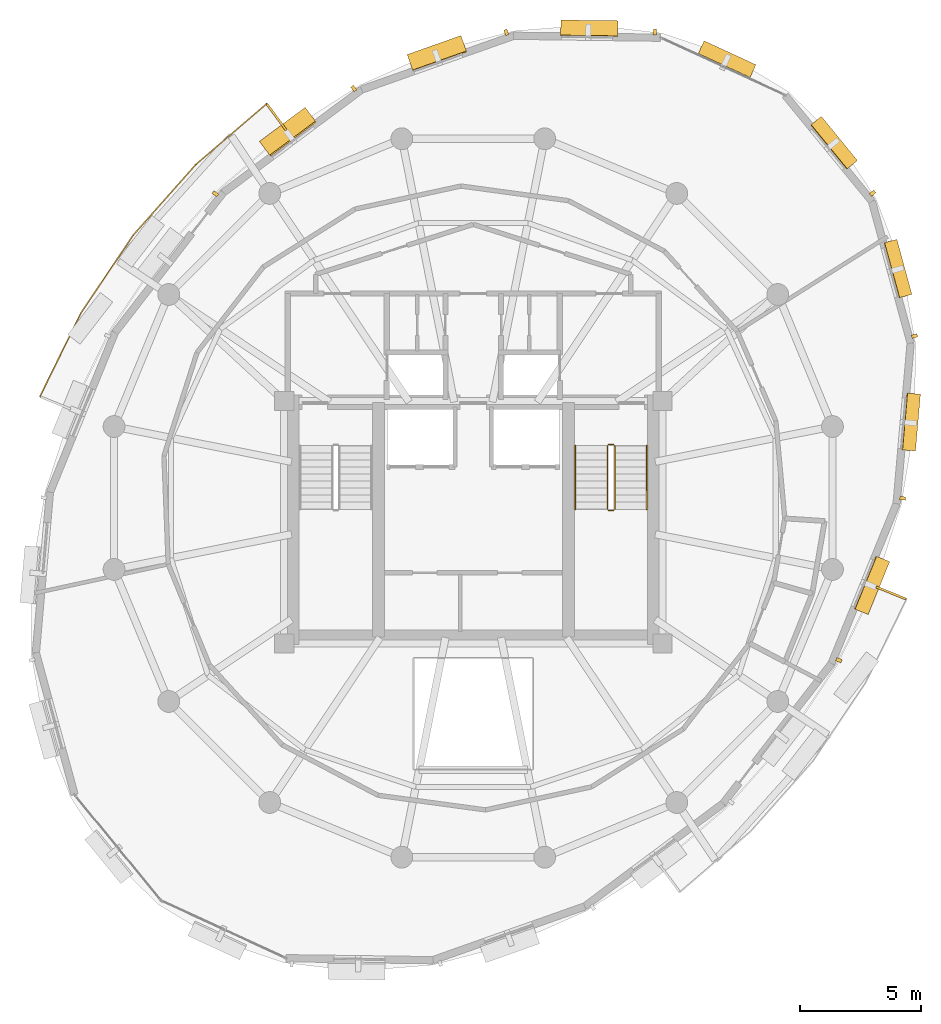
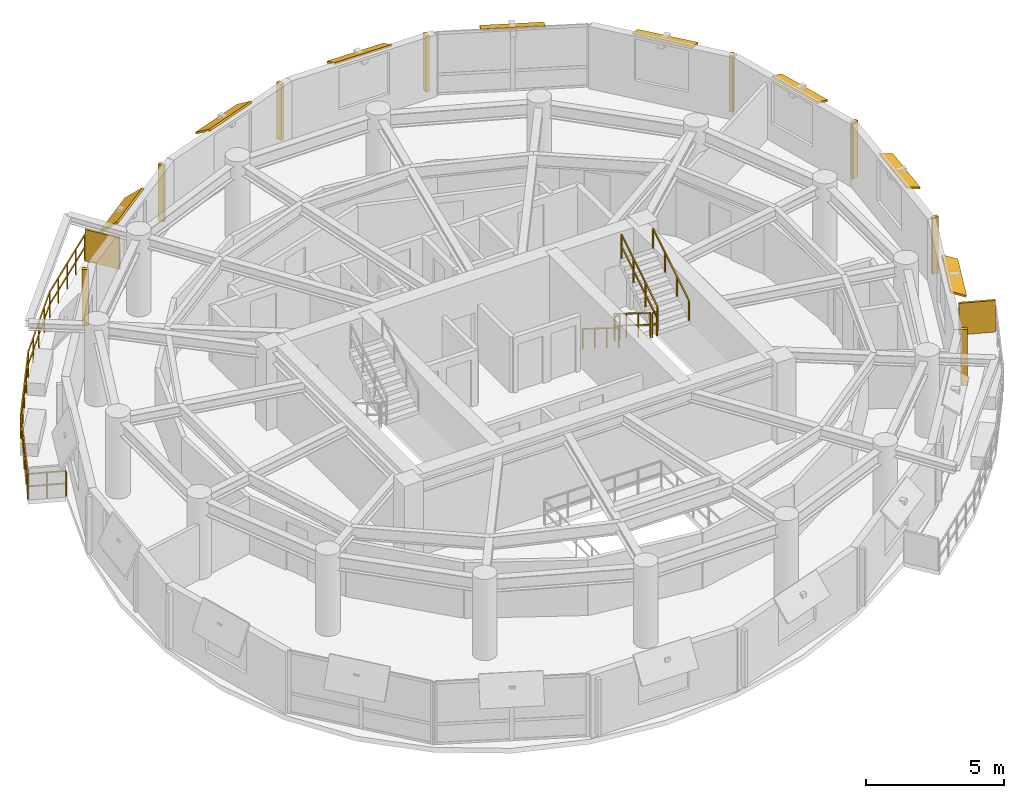
# One storey, part 11 of 11: 18 shading devices, 7 railings.
"""IFC4 building model written with IfcOpenShell, lengths in metres."""

from ifc_helpers import new_model, si_unit, direction, frame, origin, origin_2d, place, context, subcontext, project, spatial, rectangle, extrude, material, layer, layer_set, type_object, element, save


model = new_model("IFC4")

# Units and contexts
model_context = context("Model", 3, precision=1e-05, world=origin(), true_north=direction((0.0, 1.0)))
body_context = subcontext(model_context, "Body", "Model", "MODEL_VIEW")
ifc_project = project(units=[si_unit("LENGTHUNIT", "METRE"), si_unit("AREAUNIT", "SQUARE_METRE"), si_unit("VOLUMEUNIT", "CUBIC_METRE"), si_unit("PLANEANGLEUNIT", "RADIAN"), si_unit("MASSUNIT", "GRAM", prefix="KILO"), si_unit("THERMODYNAMICTEMPERATUREUNIT", "KELVIN"), si_unit("POWERUNIT", "WATT")], contexts=[model_context])

# Site, building, storey
site_placement = place(None, origin())
site = spatial("IfcSite", under=ifc_project, at=site_placement, CompositionType="ELEMENT")
building_placement = place(site_placement, origin())
building = spatial("IfcBuilding", under=site, at=building_placement, Name="Ocrelia Relay Tower", CompositionType="ELEMENT")
storey_placement = place(building_placement, frame((0.0, 0.0, 248.39990234375)))
storey = spatial("IfcBuildingStorey", under=building, at=storey_placement, Name="L61", CompositionType="ELEMENT", Elevation=248.39990234375)

# Railings
ifc_material_1 = material(Name="Steel S355 balustrade", Category="steel")
railing_type_1 = type_object("IfcRailingType", Name="RL-EXT-GUARD-1150", PredefinedType="GUARDRAIL", material=ifc_material_1)
railing_1_placement = place(storey_placement, frame((17.422119140625, 29.655517578125, 0.0)))
element("IfcRailing", 1, at=railing_1_placement, inside=storey, type_object=railing_type_1, Name="L61 Loggia Balcony Guard Rail B1", PredefinedType="GUARDRAIL", context=body_context, shape_type="SweptSolid", body=[
    extrude(rectangle(XDim=0.048095703125, YDim=0.048095703125, at=origin_2d()), frame((0.0, 0.0, 1.1259765625), z_axis=(-0.926775533651, 0.375615641616, 0.0), x_axis=(-0.375615641616, -0.926775533651, 0.0)), (0.0, 0.0, 1.0), 1.3935546875),
    extrude(rectangle(XDim=0.048095703125, YDim=0.048095703125, at=origin_2d()), frame((0.0, 0.0, 0.574951171875), z_axis=(-0.926775533651, 0.375615641616, 0.0), x_axis=(-0.375615641616, -0.926775533651, 0.0)), (0.0, 0.0, 1.0), 1.3935546875),
    extrude(rectangle(XDim=0.048095703125, YDim=0.048095703125, at=origin_2d()), frame((-1.29150390625, 0.5234375, 1.1259765625), z_axis=(0.440133105677, 0.897932541613, 0.0), x_axis=(-0.897932541613, 0.440133105677, 0.0)), (0.0, 0.0, 1.0), 1.9208984375),
    extrude(rectangle(XDim=0.048095703125, YDim=0.048095703125, at=origin_2d()), frame((-1.29150390625, 0.5234375, 0.574951171875), z_axis=(0.440133105677, 0.897932541613, 0.0), x_axis=(-0.897932541613, 0.440133105677, 0.0)), (0.0, 0.0, 1.0), 1.9208984375),
    extrude(rectangle(XDim=0.048095703125, YDim=0.048095703125, at=origin_2d()), frame((-0.446044921875, 2.248291015625, 1.1259765625), z_axis=(0.44008085035, 0.897958153343, 0.0), x_axis=(-0.897958153343, 0.44008085035, 0.0)), (0.0, 0.0, 1.0), 1.920654296875),
    extrude(rectangle(XDim=0.048095703125, YDim=0.048095703125, at=origin_2d()), frame((-0.446044921875, 2.248291015625, 0.574951171875), z_axis=(0.44008085035, 0.897958153343, 0.0), x_axis=(-0.897958153343, 0.44008085035, 0.0)), (0.0, 0.0, 1.0), 1.920654296875),
    extrude(rectangle(XDim=0.048095703125, YDim=0.048095703125, at=origin_2d()), frame((0.399169921875, 3.972900390625, 1.1259765625), z_axis=(0.557787743584, 0.829983634241, 0.0), x_axis=(-0.829983634241, 0.557787743584, 0.0)), (0.0, 0.0, 1.0), 3.8818359375),
    extrude(rectangle(XDim=0.048095703125, YDim=0.048095703125, at=origin_2d()), frame((0.399169921875, 3.972900390625, 0.574951171875), z_axis=(0.557787743584, 0.829983634241, 0.0), x_axis=(-0.829983634241, 0.557787743584, 0.0)), (0.0, 0.0, 1.0), 3.8818359375),
    extrude(rectangle(XDim=0.048095703125, YDim=0.048095703125, at=origin_2d()), frame((2.564453125, 7.19482421875, 1.1259765625), z_axis=(0.663879654023, 0.747839424592, 0.0), x_axis=(-0.747839424592, 0.663879654023, 0.0)), (0.0, 0.0, 1.0), 3.8818359375),
    extrude(rectangle(XDim=0.048095703125, YDim=0.048095703125, at=origin_2d()), frame((2.564453125, 7.19482421875, 0.574951171875), z_axis=(0.663879654023, 0.747839424592, 0.0), x_axis=(-0.747839424592, 0.663879654023, 0.0)), (0.0, 0.0, 1.0), 3.8818359375),
    extrude(rectangle(XDim=0.048095703125, YDim=0.048095703125, at=origin_2d()), frame((5.1416015625, 10.097900390625, 1.1259765625), z_axis=(0.759121995333, 0.650948382133, 0.0), x_axis=(-0.650948382133, 0.759121995333, 0.0)), (0.0, 0.0, 1.0), 1.920654296875),
    extrude(rectangle(XDim=0.048095703125, YDim=0.048095703125, at=origin_2d()), frame((5.1416015625, 10.097900390625, 0.574951171875), z_axis=(0.759121995333, 0.650948382133, 0.0), x_axis=(-0.650948382133, 0.759121995333, 0.0)), (0.0, 0.0, 1.0), 1.920654296875),
    extrude(rectangle(XDim=0.048095703125, YDim=0.048095703125, at=origin_2d()), frame((6.599609375, 11.34814453125, 1.1259765625), z_axis=(0.759175849836, 0.650885572913, 0.0), x_axis=(-0.650885572913, 0.759175849836, 0.0)), (0.0, 0.0, 1.0), 1.9208984375),
    extrude(rectangle(XDim=0.048095703125, YDim=0.048095703125, at=origin_2d()), frame((6.599609375, 11.34814453125, 0.574951171875), z_axis=(0.759175849836, 0.650885572913, 0.0), x_axis=(-0.650885572913, 0.759175849836, 0.0)), (0.0, 0.0, 1.0), 1.9208984375),
    extrude(rectangle(XDim=0.048095703125, YDim=0.048095703125, at=origin_2d()), frame((8.057861328125, 12.598388671875, 1.1259765625), z_axis=(0.59584327914, -0.803100732601, 0.0), x_axis=(0.803100732601, 0.59584327914, 0.0)), (0.0, 0.0, 1.0), 1.3935546875),
    extrude(rectangle(XDim=0.048095703125, YDim=0.048095703125, at=origin_2d()), frame((8.057861328125, 12.598388671875, 0.574951171875), z_axis=(0.59584327914, -0.803100732601, 0.0), x_axis=(0.803100732601, 0.59584327914, 0.0)), (0.0, 0.0, 1.0), 1.3935546875),
    extrude(rectangle(XDim=0.0419921875, YDim=0.0419921875, at=origin_2d()), origin(), (0.0, 0.0, 1.0), 1.101806640625),
    extrude(rectangle(XDim=0.0419921875, YDim=0.0419921875, at=origin_2d()), frame((-0.645751953125, 0.26171875, 0.0)), (0.0, 0.0, 1.0), 1.101806640625),
    extrude(rectangle(XDim=0.0419921875, YDim=0.0419921875, at=origin_2d()), frame((-1.29150390625, 0.5234375, 0.0)), (0.0, 0.0, 1.0), 1.101806640625),
    extrude(rectangle(XDim=0.0419921875, YDim=0.0419921875, at=origin_2d()), frame((-0.86865234375, 1.3857421875, 0.0)), (0.0, 0.0, 1.0), 1.101806640625),
    extrude(rectangle(XDim=0.0419921875, YDim=0.0419921875, at=origin_2d()), frame((-0.446044921875, 2.248291015625, 0.0)), (0.0, 0.0, 1.0), 1.101806640625),
    extrude(rectangle(XDim=0.0419921875, YDim=0.0419921875, at=origin_2d()), frame((-0.0234375, 3.110595703125, 0.0)), (0.0, 0.0, 1.0), 1.101806640625),
    extrude(rectangle(XDim=0.0419921875, YDim=0.0419921875, at=origin_2d()), frame((0.399169921875, 3.972900390625, 0.0)), (0.0, 0.0, 1.0), 1.101806640625),
    extrude(rectangle(XDim=0.0419921875, YDim=0.0419921875, at=origin_2d()), frame((0.9404296875, 4.7783203125, 0.0)), (0.0, 0.0, 1.0), 1.101806640625),
    extrude(rectangle(XDim=0.0419921875, YDim=0.0419921875, at=origin_2d()), frame((1.48193359375, 5.583984375, 0.0)), (0.0, 0.0, 1.0), 1.101806640625),
    extrude(rectangle(XDim=0.0419921875, YDim=0.0419921875, at=origin_2d()), frame((2.023193359375, 6.389404296875, 0.0)), (0.0, 0.0, 1.0), 1.101806640625),
    extrude(rectangle(XDim=0.0419921875, YDim=0.0419921875, at=origin_2d()), frame((2.564453125, 7.19482421875, 0.0)), (0.0, 0.0, 1.0), 1.101806640625),
    extrude(rectangle(XDim=0.0419921875, YDim=0.0419921875, at=origin_2d()), frame((3.208740234375, 7.920654296875, 0.0)), (0.0, 0.0, 1.0), 1.101806640625),
    extrude(rectangle(XDim=0.0419921875, YDim=0.0419921875, at=origin_2d()), frame((3.85302734375, 8.646484375, 0.0)), (0.0, 0.0, 1.0), 1.101806640625),
    extrude(rectangle(XDim=0.0419921875, YDim=0.0419921875, at=origin_2d()), frame((4.497314453125, 9.3720703125, 0.0)), (0.0, 0.0, 1.0), 1.101806640625),
    extrude(rectangle(XDim=0.0419921875, YDim=0.0419921875, at=origin_2d()), frame((5.1416015625, 10.097900390625, 0.0)), (0.0, 0.0, 1.0), 1.101806640625),
    extrude(rectangle(XDim=0.0419921875, YDim=0.0419921875, at=origin_2d()), frame((5.87060546875, 10.72314453125, 0.0)), (0.0, 0.0, 1.0), 1.101806640625),
    extrude(rectangle(XDim=0.0419921875, YDim=0.0419921875, at=origin_2d()), frame((6.599609375, 11.34814453125, 0.0)), (0.0, 0.0, 1.0), 1.101806640625),
    extrude(rectangle(XDim=0.0419921875, YDim=0.0419921875, at=origin_2d()), frame((7.32861328125, 11.97314453125, 0.0)), (0.0, 0.0, 1.0), 1.101806640625),
    extrude(rectangle(XDim=0.0419921875, YDim=0.0419921875, at=origin_2d()), frame((8.057861328125, 12.598388671875, 0.0)), (0.0, 0.0, 1.0), 1.101806640625),
    extrude(rectangle(XDim=0.0419921875, YDim=0.0419921875, at=origin_2d()), frame((8.47314453125, 12.038818359375, 0.0)), (0.0, 0.0, 1.0), 1.101806640625),
    extrude(rectangle(XDim=0.0419921875, YDim=0.0419921875, at=origin_2d()), frame((8.88818359375, 11.479248046875, 0.0)), (0.0, 0.0, 1.0), 1.101806640625),
])
railing_type_2 = type_object("IfcRailingType", Name="RL-STAIR-GUARD", PredefinedType="GUARDRAIL", material=ifc_material_1)
railing_2_placement = place(storey_placement, frame((39.530029296875, 28.14990234375, 0.18017578125)))
element("IfcRailing", 2, at=railing_2_placement, inside=storey, type_object=railing_type_2, Name="L61 ST2 stair guard 1", PredefinedType="GUARDRAIL", context=body_context, shape_type="SweptSolid", body=[
    extrude(rectangle(XDim=0.048095703125, YDim=0.048095703125, at=origin_2d()), frame((0.0, 0.0, 1.076171875), z_axis=(0.0, -0.849646306263, 0.527352969322), x_axis=(1.0, 0.0, 0.0)), (0.0, 0.0, 1.0), 3.07177734375),
    extrude(rectangle(XDim=0.048095703125, YDim=0.048095703125, at=origin_2d()), frame((0.0, 0.0, 0.550048828125), z_axis=(0.0, -0.849646306263, 0.527352969322), x_axis=(1.0, 0.0, 0.0)), (0.0, 0.0, 1.0), 3.07177734375),
    extrude(rectangle(XDim=0.0419921875, YDim=0.0419921875, at=origin_2d()), origin(), (0.0, 0.0, 1.0), 1.052001953125),
    extrude(rectangle(XDim=0.0419921875, YDim=0.0419921875, at=origin_2d()), frame((0.0, -0.869873046875, 0.5400390625)), (0.0, 0.0, 1.0), 1.052001953125),
    extrude(rectangle(XDim=0.0419921875, YDim=0.0419921875, at=origin_2d()), frame((0.0, -1.739990234375, 1.079833984375)), (0.0, 0.0, 1.0), 1.052001953125),
    extrude(rectangle(XDim=0.0419921875, YDim=0.0419921875, at=origin_2d()), frame((0.0, -2.60986328125, 1.619873046875)), (0.0, 0.0, 1.0), 1.052001953125),
])
railing_3_placement = place(storey_placement, frame((39.580078125, 25.489990234375, 1.800048828125)))
element("IfcRailing", 3, at=railing_3_placement, inside=storey, type_object=railing_type_2, Name="L61 ST2 stair guard 2", PredefinedType="GUARDRAIL", context=body_context, shape_type="SweptSolid", body=[
    extrude(rectangle(XDim=0.048095703125, YDim=0.048095703125, at=origin_2d()), frame((0.0, 0.0, 1.076171875), z_axis=(1.0, 0.0, 0.0), x_axis=(0.0, 1.0, 0.0)), (0.0, 0.0, 1.0), 0.199951171875),
    extrude(rectangle(XDim=0.048095703125, YDim=0.048095703125, at=origin_2d()), frame((0.0, 0.0, 0.550048828125), z_axis=(1.0, 0.0, 0.0), x_axis=(0.0, 1.0, 0.0)), (0.0, 0.0, 1.0), 0.199951171875),
    extrude(rectangle(XDim=0.0419921875, YDim=0.0419921875, at=origin_2d()), origin(), (0.0, 0.0, 1.0), 1.052001953125),
    extrude(rectangle(XDim=0.0419921875, YDim=0.0419921875, at=origin_2d()), frame((0.199951171875, 0.0, 0.0)), (0.0, 0.0, 1.0), 1.052001953125),
])
railing_4_placement = place(storey_placement, frame((39.830078125, 25.5400390625, 1.97998046875)))
element("IfcRailing", 4, at=railing_4_placement, inside=storey, type_object=railing_type_2, Name="L61 ST2 stair guard 3", PredefinedType="GUARDRAIL", context=body_context, shape_type="SweptSolid", body=[
    extrude(rectangle(XDim=0.048095703125, YDim=0.048095703125, at=origin_2d()), frame((0.0, 0.0, 1.076171875), z_axis=(0.0, 0.849610693518, 0.52741034258), x_axis=(-1.0, 0.0, 0.0)), (0.0, 0.0, 1.0), 3.07177734375),
    extrude(rectangle(XDim=0.048095703125, YDim=0.048095703125, at=origin_2d()), frame((0.0, 0.0, 0.550048828125), z_axis=(0.0, 0.849610693518, 0.52741034258), x_axis=(-1.0, 0.0, 0.0)), (0.0, 0.0, 1.0), 3.07177734375),
    extrude(rectangle(XDim=0.0419921875, YDim=0.0419921875, at=origin_2d()), origin(), (0.0, 0.0, 1.0), 1.052001953125),
    extrude(rectangle(XDim=0.0419921875, YDim=0.0419921875, at=origin_2d()), frame((0.0, 0.869873046875, 0.5400390625)), (0.0, 0.0, 1.0), 1.052001953125),
    extrude(rectangle(XDim=0.0419921875, YDim=0.0419921875, at=origin_2d()), frame((0.0, 1.739990234375, 1.080078125)), (0.0, 0.0, 1.0), 1.052001953125),
    extrude(rectangle(XDim=0.0419921875, YDim=0.0419921875, at=origin_2d()), frame((0.0, 2.60986328125, 1.6201171875)), (0.0, 0.0, 1.0), 1.052001953125),
])
railing_5_placement = place(storey_placement, frame((39.580078125, 28.199951171875, 0.0)))
element("IfcRailing", 5, at=railing_5_placement, inside=storey, type_object=railing_type_2, Name="L61 ST2 stair guard 4", PredefinedType="GUARDRAIL", context=body_context, shape_type="SweptSolid", body=[
    extrude(rectangle(XDim=0.048095703125, YDim=0.048095703125, at=origin_2d()), frame((0.0, 0.0, 1.076171875), z_axis=(1.0, 0.0, 0.0), x_axis=(0.0, 1.0, 0.0)), (0.0, 0.0, 1.0), 0.199951171875),
    extrude(rectangle(XDim=0.048095703125, YDim=0.048095703125, at=origin_2d()), frame((0.0, 0.0, 0.550048828125), z_axis=(1.0, 0.0, 0.0), x_axis=(0.0, 1.0, 0.0)), (0.0, 0.0, 1.0), 0.199951171875),
    extrude(rectangle(XDim=0.0419921875, YDim=0.0419921875, at=origin_2d()), origin(), (0.0, 0.0, 1.0), 1.052001953125),
    extrude(rectangle(XDim=0.0419921875, YDim=0.0419921875, at=origin_2d()), frame((0.199951171875, 0.0, 0.0)), (0.0, 0.0, 1.0), 1.052001953125),
])
ifc_material_2 = material(Name="Steel S355 tubular handrail", Category="steel")
railing_type_3 = type_object("IfcRailingType", Name="RL-STAIR-HAND", PredefinedType="HANDRAIL", material=ifc_material_2)
railing_6_placement = place(storey_placement, frame((38.2099609375, 28.14990234375, 0.18017578125)))
element("IfcRailing", 6, at=railing_6_placement, inside=storey, type_object=railing_type_3, Name="L61 ST2 stair handrail 1", PredefinedType="HANDRAIL", context=body_context, shape_type="SweptSolid", body=[
    extrude(rectangle(XDim=0.048095703125, YDim=0.048095703125, at=origin_2d()), frame((0.0, 0.0, 0.8759765625), z_axis=(0.0, -0.849646306263, 0.527352969322), x_axis=(1.0, 0.0, 0.0)), (0.0, 0.0, 1.0), 3.07177734375),
    extrude(rectangle(XDim=0.0419921875, YDim=0.0419921875, at=origin_2d()), origin(), (0.0, 0.0, 1.0), 0.851806640625),
    extrude(rectangle(XDim=0.0419921875, YDim=0.0419921875, at=origin_2d()), frame((0.0, -0.869873046875, 0.5400390625)), (0.0, 0.0, 1.0), 0.851806640625),
    extrude(rectangle(XDim=0.0419921875, YDim=0.0419921875, at=origin_2d()), frame((0.0, -1.739990234375, 1.079833984375)), (0.0, 0.0, 1.0), 0.851806640625),
    extrude(rectangle(XDim=0.0419921875, YDim=0.0419921875, at=origin_2d()), frame((0.0, -2.60986328125, 1.619873046875)), (0.0, 0.0, 1.0), 0.851806640625),
])
railing_7_placement = place(storey_placement, frame((41.14990234375, 25.5400390625, 1.97998046875)))
element("IfcRailing", 7, at=railing_7_placement, inside=storey, type_object=railing_type_3, Name="L61 ST2 stair handrail 2", PredefinedType="HANDRAIL", context=body_context, shape_type="SweptSolid", body=[
    extrude(rectangle(XDim=0.048095703125, YDim=0.048095703125, at=origin_2d()), frame((0.0, 0.0, 0.8759765625), z_axis=(0.0, 0.849610693518, 0.52741034258), x_axis=(-1.0, 0.0, 0.0)), (0.0, 0.0, 1.0), 3.07177734375),
    extrude(rectangle(XDim=0.0419921875, YDim=0.0419921875, at=origin_2d()), origin(), (0.0, 0.0, 1.0), 0.851806640625),
    extrude(rectangle(XDim=0.0419921875, YDim=0.0419921875, at=origin_2d()), frame((0.0, 0.869873046875, 0.5400390625)), (0.0, 0.0, 1.0), 0.851806640625),
    extrude(rectangle(XDim=0.0419921875, YDim=0.0419921875, at=origin_2d()), frame((0.0, 1.739990234375, 1.080078125)), (0.0, 0.0, 1.0), 0.851806640625),
    extrude(rectangle(XDim=0.0419921875, YDim=0.0419921875, at=origin_2d()), frame((0.0, 2.60986328125, 1.6201171875)), (0.0, 0.0, 1.0), 0.851806640625),
])

# Shading devices
ifc_material_3 = material(Name="Perforated oxide terracotta solar screen", Category="masonry")
ifc_layer_1 = layer(ifc_material_3, 0.090087890625, Name="Perforated oxide terracotta solar screen")
ifc_layer_set_1 = layer_set([ifc_layer_1], Name="Perforated oxide terracotta solar screen")
shading_device_type_1 = type_object("IfcShadingDeviceType", Name="SH-BALC-SCREEN", PredefinedType="USERDEFINED", material=ifc_layer_set_1)
for number, where, z_axis, x_axis, name in (
    (8, (25.89501953125, 41.694091796875, 0.000244140625), (0.0, 0.0, 1.0), (-0.595800636569, 0.803132368582, 0.0), "L61 Balcony Perforated Terracotta Screen B1-1"),
    (9, (51.2236328125, 22.082763671875, 0.000244140625), (0.0, 0.0, 1.0), (0.926749397566, -0.375680122059, 0.0), "L61 Balcony Perforated Terracotta Screen B2-2"),
):
    element("IfcShadingDevice", number, at=place(storey_placement, frame(where, z_axis=z_axis, x_axis=x_axis)), inside=storey, type_object=shading_device_type_1, Name=name, ObjectType="SCREEN", PredefinedType="USERDEFINED", context=body_context, shape_type="SweptSolid", body=[
        extrude(rectangle(XDim=1.340087890625, YDim=0.090087890625, at=origin_2d()), origin(), (0.0, 0.0, 1.0), 1.39990234375),
    ])
ifc_material_4 = material(Name="Extruded oxide terracotta vertical baguette", Category="masonry")
shading_device_type_2 = type_object("IfcShadingDeviceType", Name="SH-TERR-BAGUETTE", PredefinedType="USERDEFINED", material=ifc_material_4)
for number, where, z_axis, x_axis, name in (
    (10, (41.490478515625, 45.20751953125, 0.130126953125), (0.0, 0.0, 1.0), (-0.999910282384, 0.013395043205, 0.0), "L61 Oxide Terracotta Vertical Baguette 02"),
    (11, (35.36279296875, 45.192138671875, 0.130126953125), (0.0, 0.0, 1.0), (-0.942663340426, -0.333745152199, 0.0), "L61 Oxide Terracotta Vertical Baguette 03"),
    (12, (29.07373046875, 42.879638671875, 0.130126953125), (0.0, 0.0, 1.0), (-0.8022089569, -0.597043373189, 0.0), "L61 Oxide Terracotta Vertical Baguette 04"),
    (13, (23.366943359375, 38.541259765625, 0.130126953125), (0.0, 0.0, 1.0), (-0.612212461871, -0.790693304341, 0.0), "L61 Oxide Terracotta Vertical Baguette 05"),
    (14, (49.07275390625, 19.31201171875, 0.130126953125), (0.0, 0.0, 1.0), (0.377177240106, 0.926141095917, 0.0), "L61 Oxide Terracotta Vertical Baguette 15"),
    (15, (51.702880859375, 25.985107421875, 0.130126953125), (0.0, 0.0, 1.0), (0.087097298209, 0.996199809599, 0.0), "L61 Oxide Terracotta Vertical Baguette 16"),
    (16, (52.190185546875, 32.676025390625, 0.130126953125), (0.0, 0.0, 1.0), (-0.263335154155, 0.964704408918, 0.0), "L61 Oxide Terracotta Vertical Baguette 17"),
    (17, (50.461181640625, 38.563232421875, 0.130126953125), (0.0, 0.0, 1.0), (-0.63334572525, 0.773868976189, 0.0), "L61 Oxide Terracotta Vertical Baguette 18"),
):
    element("IfcShadingDevice", number, at=place(storey_placement, frame(where, z_axis=z_axis, x_axis=x_axis)), inside=storey, type_object=shading_device_type_2, Name=name, ObjectType="BAGUETTE", PredefinedType="USERDEFINED", context=body_context, shape_type="SweptSolid", body=[
        extrude(rectangle(XDim=0.139892578125, YDim=0.239990234375, at=origin_2d()), origin(), (0.0, 0.0, 1.0), 2.5),
    ])
ifc_material_5 = material(Name="Extruded oxide terracotta fin", Category="masonry")
ifc_layer_2 = layer(ifc_material_5, 0.080078125, Name="Extruded oxide terracotta fin")
ifc_layer_set_2 = layer_set([ifc_layer_2], Name="Extruded oxide terracotta fin")
shading_device_type_3 = type_object("IfcShadingDeviceType", Name="SH-VISOR-FIN-MED", PredefinedType="USERDEFINED", material=ifc_layer_set_2)
shading_device_1_placement = place(storey_placement, frame((32.5107421875, 44.311767578125, 2.566650390625), z_axis=(-0.184982749069, 0.522483862342, 0.832341273841), x_axis=(-0.942663340426, -0.333745152199, 0.0)))
element("IfcShadingDevice", 18, at=shading_device_1_placement, inside=storey, type_object=shading_device_type_3, Name="L61 Canted Terracotta Sun-Visor Fin 03", ObjectType="FIN", PredefinedType="USERDEFINED", context=body_context, shape_type="SweptSolid", body=[
    extrude(rectangle(XDim=2.35009765625, YDim=0.81103515625, at=origin_2d()), origin(), (0.0, 0.0, 1.0), 0.080078125),
])
shading_device_2_placement = place(storey_placement, frame((26.3720703125, 41.075927734375, 2.57080078125), z_axis=(-0.405502988697, 0.544848404975, 0.733966989553), x_axis=(-0.8022089569, -0.597043373189, 0.0)))
element("IfcShadingDevice", 19, at=shading_device_2_placement, inside=storey, type_object=shading_device_type_3, Name="L61 Canted Terracotta Sun-Visor Fin 04", ObjectType="FIN", PredefinedType="USERDEFINED", context=body_context, shape_type="SweptSolid", body=[
    extrude(rectangle(XDim=2.35009765625, YDim=0.962890625, at=origin_2d()), origin(), (0.0, 0.0, 1.0), 0.080078125),
])
ifc_layer_3 = layer(ifc_material_5, 0.080078125, Name="Extruded oxide terracotta fin")
ifc_layer_set_3 = layer_set([ifc_layer_3], Name="Extruded oxide terracotta fin")
shading_device_type_4 = type_object("IfcShadingDeviceType", Name="SH-VISOR-FIN-SHAL", PredefinedType="USERDEFINED", material=ifc_layer_set_3)
shading_device_3_placement = place(storey_placement, frame((44.452880859375, 44.064697265625, 2.56298828125), z_axis=(0.159351928636, 0.344908366761, 0.925010908789), x_axis=(-0.907795628133, 0.41941280088, 0.0)))
element("IfcShadingDevice", 20, at=shading_device_3_placement, inside=storey, type_object=shading_device_type_4, Name="L61 Canted Terracotta Sun-Visor Fin 01", ObjectType="FIN", PredefinedType="USERDEFINED", context=body_context, shape_type="SweptSolid", body=[
    extrude(rectangle(XDim=2.35009765625, YDim=0.6220703125, at=origin_2d()), origin(), (0.0, 0.0, 1.0), 0.080078125),
])
shading_device_4_placement = place(storey_placement, frame((38.78173828125, 45.342041015625, 2.564453125), z_axis=(0.006068720649, 0.453016543921, 0.891481453292), x_axis=(-0.999910282384, 0.013395043205, 0.0)))
element("IfcShadingDevice", 21, at=shading_device_4_placement, inside=storey, type_object=shading_device_type_4, Name="L61 Canted Terracotta Sun-Visor Fin 02", ObjectType="FIN", PredefinedType="USERDEFINED", context=body_context, shape_type="SweptSolid", body=[
    extrude(rectangle(XDim=2.35009765625, YDim=0.698974609375, at=origin_2d()), origin(), (0.0, 0.0, 1.0), 0.080078125),
])
shading_device_5_placement = place(storey_placement, frame((50.42578125, 22.405029296875, 2.563232421875), z_axis=(0.360681464382, -0.146889971618, 0.921049519564), x_axis=(0.377177240106, 0.926141095917, 0.0)))
element("IfcShadingDevice", 22, at=shading_device_5_placement, inside=storey, type_object=shading_device_type_4, Name="L61 Canted Terracotta Sun-Visor Fin 15", ObjectType="FIN", PredefinedType="USERDEFINED", context=body_context, shape_type="SweptSolid", body=[
    extrude(rectangle(XDim=2.35009765625, YDim=0.632080078125, at=origin_2d()), origin(), (0.0, 0.0, 1.0), 0.080078125),
])
shading_device_6_placement = place(storey_placement, frame((52.04248046875, 29.130615234375, 2.562255859375), z_axis=(0.321699320306, -0.028126025888, 0.946424045543), x_axis=(0.087097298209, 0.996199809599, 0.0)))
element("IfcShadingDevice", 23, at=shading_device_6_placement, inside=storey, type_object=shading_device_type_4, Name="L61 Canted Terracotta Sun-Visor Fin 16", ObjectType="FIN", PredefinedType="USERDEFINED", context=body_context, shape_type="SweptSolid", body=[
    extrude(rectangle(XDim=2.35009765625, YDim=0.56396484375, at=origin_2d()), origin(), (0.0, 0.0, 1.0), 0.080078125),
])
shading_device_7_placement = place(storey_placement, frame((51.498046875, 35.4541015625, 2.56201171875), z_axis=(0.298750511952, 0.081549862726, 0.950840549986), x_axis=(-0.263335154155, 0.964704408918, 0.0)))
element("IfcShadingDevice", 24, at=shading_device_7_placement, inside=storey, type_object=shading_device_type_4, Name="L61 Canted Terracotta Sun-Visor Fin 17", ObjectType="FIN", PredefinedType="USERDEFINED", context=body_context, shape_type="SweptSolid", body=[
    extrude(rectangle(XDim=2.35009765625, YDim=0.551025390625, at=origin_2d()), origin(), (0.0, 0.0, 1.0), 0.080078125),
])
shading_device_8_placement = place(storey_placement, frame((48.864013671875, 40.634765625, 2.562255859375), z_axis=(0.256794385506, 0.210164293095, 0.943338546589), x_axis=(-0.63334572525, 0.773868976189, 0.0)))
element("IfcShadingDevice", 25, at=shading_device_8_placement, inside=storey, type_object=shading_device_type_4, Name="L61 Canted Terracotta Sun-Visor Fin 18", ObjectType="FIN", PredefinedType="USERDEFINED", context=body_context, shape_type="SweptSolid", body=[
    extrude(rectangle(XDim=2.35009765625, YDim=0.572998046875, at=origin_2d()), origin(), (0.0, 0.0, 1.0), 0.080078125),
])

save(model, "model.ifc")
